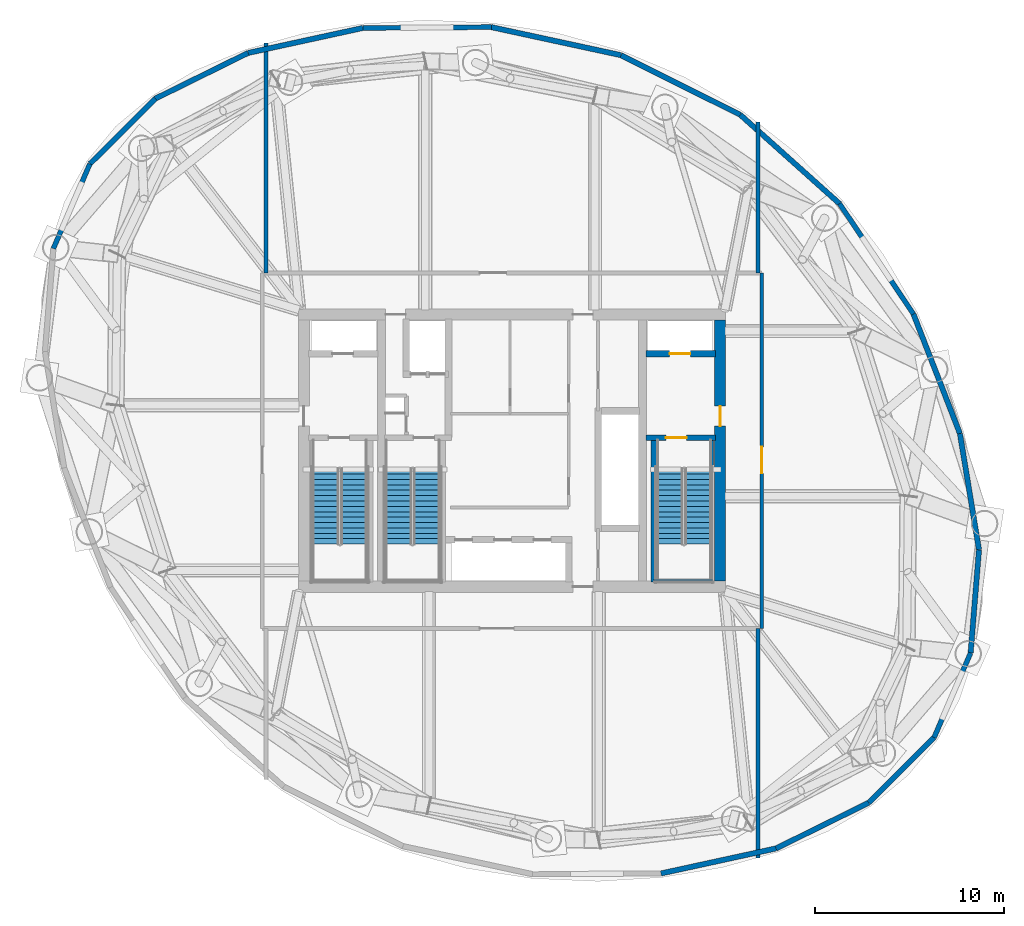
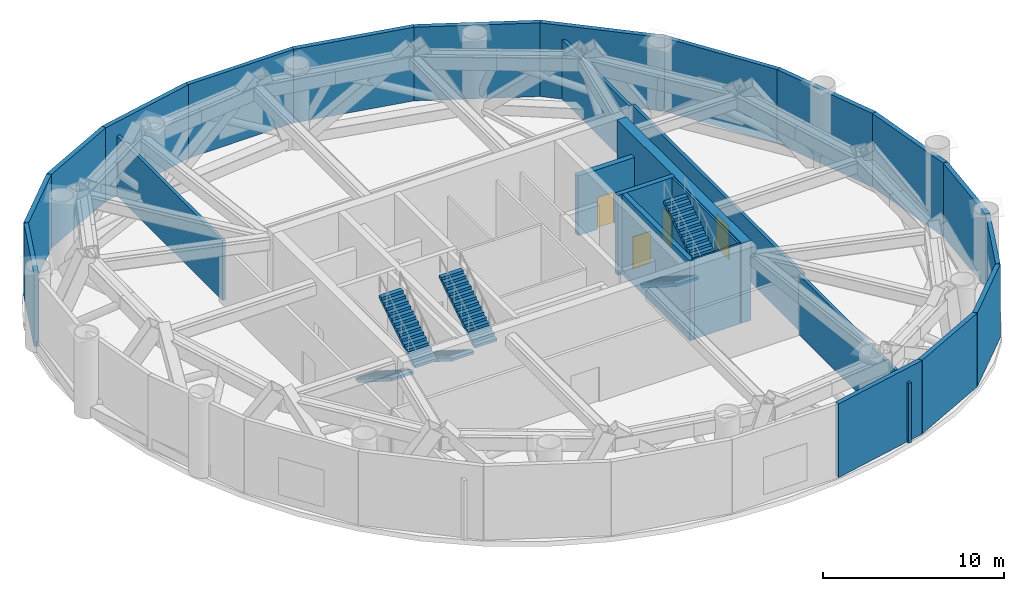
# One storey, part 6 of 10: 26 walls, 6 stair flights, 4 doors, 4 openings, 3 elements without a shape of their own.
"""IFC4 building model written with IfcOpenShell, lengths in metres."""

from ifc_helpers import new_model, si_unit, direction, frame, frame_2d, origin, place, context, subcontext, project, spatial, polyline, rectangle, outline, extrude, material, layer, layer_set, type_object, element, fill, aggregate, save


model = new_model("IFC4")

# Units and contexts
model_context = context("Model", 3, precision=1e-05, world=origin(), true_north=direction((0.0, 1.0)))
body_context = subcontext(model_context, "Body", "Model", "MODEL_VIEW")
ifc_project = project(units=[si_unit("LENGTHUNIT", "METRE"), si_unit("AREAUNIT", "SQUARE_METRE"), si_unit("VOLUMEUNIT", "CUBIC_METRE"), si_unit("PLANEANGLEUNIT", "RADIAN"), si_unit("MASSUNIT", "GRAM", prefix="KILO")], contexts=[model_context])

# Site, building, storey
site_placement = place(None, origin())
site = spatial("IfcSite", under=ifc_project, at=site_placement, CompositionType="ELEMENT")
building_placement = place(site_placement, origin())
building = spatial("IfcBuilding", under=site, at=building_placement, Name="Bramvorn Convention Spire", CompositionType="ELEMENT")
storey_placement = place(building_placement, frame((0.0, 0.0, 165.800048828125)))
storey = spatial("IfcBuildingStorey", under=building, at=storey_placement, Name="L42", CompositionType="ELEMENT", Elevation=165.800048828125)

# Wall, opening, door
ifc_material_1 = material(Name="Concrete C60/70", Category="concrete")
ifc_layer_1 = layer(ifc_material_1, 0.60009765625)
ifc_layer_set_1 = layer_set([ifc_layer_1], Name="Concrete C60/70 - WL-CORE-600")
wall_type_1 = type_object("IfcWallType", Name="WL-CORE-600", PredefinedType="SHEAR", material=ifc_layer_set_1)
wall_1_placement = place(storey_placement, frame((49.0, 19.10009765625, 0.0), z_axis=(0.0, 0.0, 1.0), x_axis=(0.0, 1.0, 0.0)))
wall_1 = element("IfcWall", 1, at=wall_1_placement, inside=storey, type_object=wall_type_1, Name="L42 East RC core shear wall", PredefinedType="SHEAR", context=body_context, shape_type="SweptSolid", body=[
    extrude(rectangle(XDim=13.7998046875, YDim=0.60009765625, at=frame_2d((6.89990234375, 0.0))), origin(), (0.0, 0.0, 1.0), 5.39990234375),
])
opening_1_placement = place(wall_1_placement, frame((8.199951171875, 0.0, 0.0)))
opening_1 = element("IfcOpeningElement", 2, at=opening_1_placement, cuts=wall_1, Name="Opening DL-105", PredefinedType="OPENING", context=body_context, shape_type="SweptSolid", body=[
    extrude(rectangle(XDim=1.050048828125, YDim=2.14990234375, at=frame_2d((0.52490234375, 1.074951171875))), frame((0.0, 0.31005859375, 0.0), z_axis=(0.0, -1.0, 0.0), x_axis=(1.0, 0.0, 0.0)), (0.0, 0.0, 1.0), 0.6201171875),
])
ifc_material_2 = material(Name="Smoke-Sealed Fire Lobby Timber-Core Door", Category="wood")
door_type_1 = type_object("IfcDoorType", Name="DR-LOBBY-1050", OperationType="NOTDEFINED", PredefinedType="DOOR", material=ifc_material_2)
door_1_placement = place(opening_1_placement, origin())
door_1 = element("IfcDoor", 3, at=door_1_placement, inside=storey, type_object=door_type_1, Name="L42 East Firefighting Lobby corridor door", OperationType="SINGLE_SWING_LEFT", OverallHeight=2.14990234375, OverallWidth=1.050048828125, PredefinedType="DOOR", context=body_context, shape_type="SweptSolid", body=[
    extrude(rectangle(XDim=1.050048828125, YDim=2.14990234375, at=frame_2d((0.52490234375, 1.074951171875))), frame((0.0, 0.02490234375, 0.0), z_axis=(0.0, -1.0, 0.0), x_axis=(1.0, 0.0, 0.0)), (0.0, 0.0, 1.0), 0.050048828125),
])
fill(opening_1, door_1)

ifc_material_3 = material(Name="Concrete C50/60", Category="concrete")
ifc_layer_2 = layer(ifc_material_3, 0.35009765625)
ifc_layer_set_2 = layer_set([ifc_layer_2], Name="Concrete C50/60 - WL-CORE-INT-350")
wall_type_2 = type_object("IfcWallType", Name="WL-CORE-INT-350", PredefinedType="SHEAR", material=ifc_layer_set_2)
wall_2_placement = place(storey_placement, frame((45.080078125, 31.1201171875, 0.0), z_axis=(0.0, 0.0, 1.0), x_axis=(1.0, 0.0, 0.0)))
wall_2 = element("IfcWall", 4, at=wall_2_placement, inside=storey, type_object=wall_type_2, Name="L42 FE2 shaft front wall", PredefinedType="SHEAR", context=body_context, shape_type="SweptSolid", body=[
    extrude(rectangle(XDim=3.669921875, YDim=0.35009765625, at=frame_2d((1.8349609375, 0.0))), origin(), (0.0, 0.0, 1.0), 4.0400390625),
])
opening_2_placement = place(wall_2_placement, frame((1.25, 0.0, 0.0)))
opening_2 = element("IfcOpeningElement", 5, at=opening_2_placement, cuts=wall_2, Name="Opening LD-110", PredefinedType="OPENING", context=body_context, shape_type="SweptSolid", body=[
    extrude(rectangle(XDim=1.10009765625, YDim=2.14990234375, at=frame_2d((0.550048828125, 1.074951171875))), frame((0.0, 0.18505859375, 0.0), z_axis=(0.0, -1.0, 0.0), x_axis=(1.0, 0.0, 0.0)), (0.0, 0.0, 1.0), 0.3701171875),
])
ifc_material_4 = material(Name="Firefighting & Service Lift Sliding Landing Door", Category="steel")
door_type_2 = type_object("IfcDoorType", Name="DR-LIFT-LD-1100", OperationType="NOTDEFINED", PredefinedType="DOOR", material=ifc_material_4)
door_2_placement = place(opening_2_placement, origin())
door_2 = element("IfcDoor", 6, at=door_2_placement, inside=storey, type_object=door_type_2, Name="L42 Lift FE2 Sliding Landing Door", OperationType="SLIDING_TO_LEFT", OverallHeight=2.14990234375, OverallWidth=1.10009765625, PredefinedType="DOOR", context=body_context, shape_type="SweptSolid", body=[
    extrude(rectangle(XDim=1.10009765625, YDim=2.14990234375, at=frame_2d((0.550048828125, 1.074951171875))), frame((0.0, 0.02490234375, 0.0), z_axis=(0.0, -1.0, 0.0), x_axis=(1.0, 0.0, 0.0)), (0.0, 0.0, 1.0), 0.050048828125),
])
fill(opening_2, door_2)

# Walls
ifc_material_5 = material(Name="Precast Concrete C40/50 with Bronze Terracotta Rainscreen", Category="masonry")
ifc_layer_3 = layer(ifc_material_5, 0.300048828125)
ifc_layer_set_3 = layer_set([ifc_layer_3], Name="Precast Concrete C40/50 with Bronze Terracotta Rainscreen - WL-EXT-BRONZE-300")
wall_type_3 = type_object("IfcWallType", Name="WL-EXT-BRONZE-300", PredefinedType="SOLIDWALL", material=ifc_layer_set_3)
wall_3_placement = place(storey_placement, frame((62.688720703125, 20.759033203125, 0.0), z_axis=(0.0, 0.0, 1.0), x_axis=(-0.081000608554, -0.99671405198, 0.0)))
element("IfcWall", 7, at=wall_3_placement, inside=storey, type_object=wall_type_3, Name="L42 expressed bronze Gothic lancet pier wall 02", PredefinedType="SOLIDWALL", context=body_context, shape_type="SweptSolid", body=[
    extrude(rectangle(XDim=5.464599609375, YDim=0.280029296875, at=frame_2d((2.732421875, 0.0))), origin(), (0.0, 0.0, 1.0), 4.97998046875),
])
wall_4_placement = place(storey_placement, frame((61.68017578125, 26.9033203125, 0.0), z_axis=(0.0, 0.0, 1.0), x_axis=(0.161975957602, -0.986794704667, 0.0)))
element("IfcWall", 8, at=wall_4_placement, inside=storey, type_object=wall_type_3, Name="L42 expressed bronze Gothic lancet pier wall 03", PredefinedType="SOLIDWALL", context=body_context, shape_type="SweptSolid", body=[
    extrude(rectangle(XDim=6.2265625, YDim=0.280029296875, at=frame_2d((3.11328125, 0.0))), origin(), (0.0, 0.0, 1.0), 4.97998046875),
])
wall_5_placement = place(storey_placement, frame((59.2216796875, 33.2265625, 0.0), z_axis=(0.0, 0.0, 1.0), x_axis=(0.362376796982, -0.932031682406, 0.0)))
element("IfcWall", 9, at=wall_5_placement, inside=storey, type_object=wall_type_3, Name="L42 expressed bronze Gothic lancet pier wall 04", PredefinedType="SOLIDWALL", context=body_context, shape_type="SweptSolid", body=[
    extrude(rectangle(XDim=6.784423828125, YDim=0.280029296875, at=frame_2d((3.39208984375, 0.0))), origin(), (0.0, 0.0, 1.0), 4.97998046875),
])
for number, where, z_axis, x_axis, name in (
    (10, (50.068115234375, 43.7578125, 0.0), (0.0, 0.0, 1.0), (0.74494941872, -0.667120951214, 0.0), "L42 expressed bronze Gothic lancet pier wall 06"),
    (11, (43.765869140625, 46.907470703125, 0.0), (0.0, 0.0, 1.0), (0.89451034067, -0.447047257495, 0.0), "L42 expressed bronze Gothic lancet pier wall 07"),
):
    element("IfcWall", number, at=place(storey_placement, frame(where, z_axis=z_axis, x_axis=x_axis)), inside=storey, type_object=wall_type_3, Name=name, PredefinedType="SOLIDWALL", context=body_context, shape_type="SweptSolid", body=[
        extrude(rectangle(XDim=7.04541015625, YDim=0.280029296875, at=frame_2d((3.522705078125, 0.0))), origin(), (0.0, 0.0, 1.0), 4.97998046875),
    ])
wall_6_placement = place(storey_placement, frame((36.906982421875, 48.3916015625, 0.0), z_axis=(0.0, 0.0, 1.0), x_axis=(0.97738094174, -0.211486393708, 0.0)))
element("IfcWall", 12, at=wall_6_placement, inside=storey, type_object=wall_type_3, Name="L42 expressed bronze Gothic lancet pier wall 08", PredefinedType="SOLIDWALL", context=body_context, shape_type="SweptSolid", body=[
    extrude(rectangle(XDim=7.017578125, YDim=0.280029296875, at=frame_2d((3.5087890625, 0.0))), origin(), (0.0, 0.0, 1.0), 4.97998046875),
])
wall_7_placement = place(storey_placement, frame((24.03857421875, 47.025634765625, 0.0), z_axis=(0.0, 0.0, 1.0), x_axis=(0.97712254219, 0.212677073388, 0.0)))
element("IfcWall", 13, at=wall_7_placement, inside=storey, type_object=wall_type_3, Name="L42 expressed bronze Gothic lancet pier wall 10", PredefinedType="SOLIDWALL", context=body_context, shape_type="SweptSolid", body=[
    extrude(rectangle(XDim=6.226318359375, YDim=0.280029296875, at=frame_2d((3.11328125, 0.0))), origin(), (0.0, 0.0, 1.0), 4.97998046875),
])
wall_8_placement = place(storey_placement, frame((19.137451171875, 44.60888671875, 0.0), z_axis=(0.0, 0.0, 1.0), x_axis=(0.896888592253, 0.442256546686, 0.0)))
element("IfcWall", 14, at=wall_8_placement, inside=storey, type_object=wall_type_3, Name="L42 expressed bronze Gothic lancet pier wall 11", PredefinedType="SOLIDWALL", context=body_context, shape_type="SweptSolid", body=[
    extrude(rectangle(XDim=5.464599609375, YDim=0.280029296875, at=frame_2d((2.732421875, 0.0))), origin(), (0.0, 0.0, 1.0), 4.97998046875),
])
wall_9_placement = place(storey_placement, frame((15.685302734375, 41.1650390625, 0.0), z_axis=(0.0, 0.0, 1.0), x_axis=(0.707957419988, 0.706255117846, 0.0)))
element("IfcWall", 15, at=wall_9_placement, inside=storey, type_object=wall_type_3, Name="L42 expressed bronze Gothic lancet pier wall 12", PredefinedType="SOLIDWALL", context=body_context, shape_type="SweptSolid", body=[
    extrude(rectangle(XDim=4.876220703125, YDim=0.280029296875, at=frame_2d((2.43798828125, 0.0))), origin(), (0.0, 0.0, 1.0), 4.97998046875),
])
wall_10_placement = place(storey_placement, frame((51.96142578125, 4.974365234375, 0.0), z_axis=(0.0, 0.0, 1.0), x_axis=(-0.97712254219, -0.212677073388, 0.0)))
element("IfcWall", 16, at=wall_10_placement, inside=storey, type_object=wall_type_3, Name="L42 expressed bronze Gothic lancet pier wall 22", PredefinedType="SOLIDWALL", context=body_context, shape_type="SweptSolid", body=[
    extrude(rectangle(XDim=6.226318359375, YDim=0.280029296875, at=frame_2d((3.11328125, 0.0))), origin(), (0.0, 0.0, 1.0), 4.97998046875),
])
wall_11_placement = place(storey_placement, frame((56.862548828125, 7.39111328125, 0.0), z_axis=(0.0, 0.0, 1.0), x_axis=(-0.896888592253, -0.442256546686, 0.0)))
element("IfcWall", 17, at=wall_11_placement, inside=storey, type_object=wall_type_3, Name="L42 expressed bronze Gothic lancet pier wall 23", PredefinedType="SOLIDWALL", context=body_context, shape_type="SweptSolid", body=[
    extrude(rectangle(XDim=5.464599609375, YDim=0.280029296875, at=frame_2d((2.732421875, 0.0))), origin(), (0.0, 0.0, 1.0), 4.97998046875),
])
wall_12_placement = place(storey_placement, frame((60.314697265625, 10.8349609375, 0.0), z_axis=(0.0, 0.0, 1.0), x_axis=(-0.707957419988, -0.706255117846, 0.0)))
element("IfcWall", 18, at=wall_12_placement, inside=storey, type_object=wall_type_3, Name="L42 expressed bronze Gothic lancet pier wall 24", PredefinedType="SOLIDWALL", context=body_context, shape_type="SweptSolid", body=[
    extrude(rectangle(XDim=4.876220703125, YDim=0.280029296875, at=frame_2d((2.43798828125, 0.0))), origin(), (0.0, 0.0, 1.0), 4.97998046875),
])
ifc_material_6 = material(Name="Precast Concrete C40/50 Insulated Terrace Wall", Category="concrete")
ifc_layer_4 = layer(ifc_material_6, 0.280029296875)
ifc_layer_set_4 = layer_set([ifc_layer_4], Name="Precast Concrete C40/50 Insulated Terrace Wall - WL-EXT-TERR-280")
wall_type_4 = type_object("IfcWallType", Name="WL-EXT-TERR-280", PredefinedType="SOLIDWALL", material=ifc_layer_set_4)
wall_13_placement = place(storey_placement, frame((62.24609375, 15.3125, 0.0), z_axis=(0.0, 0.0, 1.0), x_axis=(-0.396075385492, -0.918217996451, 0.0)))
element("IfcWall", 19, at=wall_13_placement, inside=storey, type_object=wall_type_4, Name="L42 plant floor acoustic louvre breast wall 01", PredefinedType="SOLIDWALL", context=body_context, shape_type="SweptSolid", body=[
    extrude(rectangle(XDim=4.876220703125, YDim=0.260009765625, at=frame_2d((2.43798828125, 0.0))), origin(), (0.0, 0.0, 1.0), 4.97998046875),
])
wall_14_placement = place(storey_placement, frame((55.316650390625, 39.0576171875, 0.0), z_axis=(0.0, 0.0, 1.0), x_axis=(0.556441078363, -0.830887071936, 0.0)))
element("IfcWall", 20, at=wall_14_placement, inside=storey, type_object=wall_type_4, Name="L42 plant floor acoustic louvre breast wall 05", PredefinedType="SOLIDWALL", context=body_context, shape_type="SweptSolid", body=[
    extrude(rectangle(XDim=7.017822265625, YDim=0.260009765625, at=frame_2d((3.5087890625, 0.0))), origin(), (0.0, 0.0, 1.0), 4.97998046875),
])
wall_15_placement = place(storey_placement, frame((30.12255859375, 48.349853515625, 0.0), z_axis=(0.0, 0.0, 1.0), x_axis=(0.999981067671, 0.00615339748, 0.0)))
element("IfcWall", 21, at=wall_15_placement, inside=storey, type_object=wall_type_4, Name="L42 plant floor acoustic louvre breast wall 09", PredefinedType="SOLIDWALL", context=body_context, shape_type="SweptSolid", body=[
    extrude(rectangle(XDim=6.78466796875, YDim=0.260009765625, at=frame_2d((3.392333984375, 0.0))), origin(), (0.0, 0.0, 1.0), 4.97998046875),
])
wall_16_placement = place(storey_placement, frame((13.75390625, 36.6875, 0.0), z_axis=(0.0, 0.0, 1.0), x_axis=(0.396075385492, 0.918217996451, 0.0)))
element("IfcWall", 22, at=wall_16_placement, inside=storey, type_object=wall_type_4, Name="L42 plant floor acoustic louvre breast wall 13", PredefinedType="SOLIDWALL", context=body_context, shape_type="SweptSolid", body=[
    extrude(rectangle(XDim=4.876220703125, YDim=0.260009765625, at=frame_2d((2.43798828125, 0.0))), origin(), (0.0, 0.0, 1.0), 4.97998046875),
])

# Wall, opening, door
ifc_material_7 = material(Name="Gypsum Shaftwall & Rockwool Core Partition", Category="gypsum")
ifc_layer_5 = layer(ifc_material_7, 0.199951171875)
ifc_layer_set_5 = layer_set([ifc_layer_5], Name="Gypsum Shaftwall & Rockwool Core Partition - WL-PART-200-FR")
wall_type_5 = type_object("IfcWallType", Name="WL-PART-200-FR", PredefinedType="PARTITIONING", material=ifc_layer_set_5)
wall_17_placement = place(storey_placement, frame((51.199951171875, 16.60009765625, 0.0), z_axis=(0.0, 0.0, 1.0), x_axis=(0.0, 1.0, 0.0)))
wall_17 = element("IfcWall", 23, at=wall_17_placement, inside=storey, type_object=wall_type_5, Name="L42 Plant corridor east wall", PredefinedType="PARTITIONING", context=body_context, shape_type="SweptSolid", body=[
    extrude(rectangle(XDim=18.7998046875, YDim=0.199951171875, at=frame_2d((9.39990234375, 0.0))), origin(), (0.0, 0.0, 1.0), 4.0400390625),
])
opening_3_placement = place(wall_17_placement, frame((8.199951171875, 0.0, 0.0)))
opening_3 = element("IfcOpeningElement", 24, at=opening_3_placement, cuts=wall_17, Name="Opening DP-140", PredefinedType="OPENING", context=body_context, shape_type="SweptSolid", body=[
    extrude(rectangle(XDim=1.39990234375, YDim=2.25, at=frame_2d((0.699951171875, 1.125))), frame((0.0, 0.10986328125, 0.0), z_axis=(0.0, -1.0, 0.0), x_axis=(1.0, 0.0, 0.0)), (0.0, 0.0, 1.0), 0.219970703125),
])
ifc_material_8 = material(Name="Heavy-Duty Acoustic Louvre Plant Room Door", Category="steel")
door_type_3 = type_object("IfcDoorType", Name="DR-PLANT-1400", OperationType="NOTDEFINED", PredefinedType="DOOR", material=ifc_material_8)
door_3_placement = place(opening_3_placement, origin())
door_3 = element("IfcDoor", 25, at=door_3_placement, inside=storey, type_object=door_type_3, Name="L42 High-Rise Electrical Substation & UPS door", OperationType="DOUBLE_DOOR_SINGLE_SWING", OverallHeight=2.25, OverallWidth=1.39990234375, PredefinedType="DOOR", context=body_context, shape_type="SweptSolid", body=[
    extrude(rectangle(XDim=1.39990234375, YDim=2.25, at=frame_2d((0.699951171875, 1.125))), frame((0.0, 0.02490234375, 0.0), z_axis=(0.0, -1.0, 0.0), x_axis=(1.0, 0.0, 0.0)), (0.0, 0.0, 1.0), 0.050048828125),
])
fill(opening_3, door_3)

# Walls
for number, where, z_axis, x_axis, name in (
    (26, (25.0, 35.39990234375, 0.0), (0.0, 0.0, 1.0), (0.0, 1.0, 0.0), "L42 Compartment fire wall"),
    (27, (51.0, 4.45458984375, 0.0), (0.0, 0.0, 1.0), (0.0, 1.0, 0.0), "L42 Compartment fire wall"),
):
    element("IfcWall", number, at=place(storey_placement, frame(where, z_axis=z_axis, x_axis=x_axis)), inside=storey, type_object=wall_type_5, Name=name, PredefinedType="PARTITIONING", context=body_context, shape_type="SweptSolid", body=[
        extrude(rectangle(XDim=12.1455078125, YDim=0.199951171875, at=frame_2d((6.07275390625, 0.0))), origin(), (0.0, 0.0, 1.0), 4.0400390625),
    ])
wall_18_placement = place(storey_placement, frame((51.0, 35.39990234375, 0.0), z_axis=(0.0, 0.0, 1.0), x_axis=(0.0, 1.0, 0.0)))
element("IfcWall", 28, at=wall_18_placement, inside=storey, type_object=wall_type_5, Name="L42 Compartment fire wall", PredefinedType="PARTITIONING", context=body_context, shape_type="SweptSolid", body=[
    extrude(rectangle(XDim=7.97021484375, YDim=0.199951171875, at=frame_2d((3.985107421875, 0.0))), origin(), (0.0, 0.0, 1.0), 4.0400390625),
])

# Wall, opening, door
ifc_layer_6 = layer(ifc_material_3, 0.300048828125)
ifc_layer_set_6 = layer_set([ifc_layer_6], Name="Concrete C50/60 - WL-POD-STAIR-300")
wall_type_6 = type_object("IfcWallType", Name="WL-POD-STAIR-300", PredefinedType="SHEAR", material=ifc_layer_set_6)
wall_19_placement = place(storey_placement, frame((45.080078125, 26.68994140625, 0.0), z_axis=(0.0, 0.0, 1.0), x_axis=(1.0, 0.0, 0.0)))
wall_19 = element("IfcWall", 29, at=wall_19_placement, inside=storey, type_object=wall_type_6, Name="L42 ST2 north fire wall", PredefinedType="SHEAR", context=body_context, shape_type="SweptSolid", body=[
    extrude(rectangle(XDim=3.669921875, YDim=0.300048828125, at=frame_2d((1.8349609375, 0.0))), origin(), (0.0, 0.0, 1.0), 5.39990234375),
])
opening_4_placement = place(wall_19_placement, frame((1.050048828125, 0.0, 0.0)))
opening_4 = element("IfcOpeningElement", 30, at=opening_4_placement, cuts=wall_19, Name="Opening DS-110", PredefinedType="OPENING", context=body_context, shape_type="SweptSolid", body=[
    extrude(rectangle(XDim=1.10009765625, YDim=2.14990234375, at=frame_2d((0.550048828125, 1.074951171875))), frame((0.0, 0.159912109375, 0.0), z_axis=(0.0, -1.0, 0.0), x_axis=(1.0, 0.0, 0.0)), (0.0, 0.0, 1.0), 0.320068359375),
])
ifc_material_9 = material(Name="Fire-Rated Hollow Steel Stairwell Door", Category="steel")
door_type_4 = type_object("IfcDoorType", Name="DR-STAIR-1100", OperationType="NOTDEFINED", PredefinedType="DOOR", material=ifc_material_9)
door_4_placement = place(opening_4_placement, origin())
door_4 = element("IfcDoor", 31, at=door_4_placement, inside=storey, type_object=door_type_4, Name="L42 Stair ST2 fire door", OperationType="SINGLE_SWING_RIGHT", OverallHeight=2.14990234375, OverallWidth=1.10009765625, PredefinedType="DOOR", context=body_context, shape_type="SweptSolid", body=[
    extrude(rectangle(XDim=1.10009765625, YDim=2.14990234375, at=frame_2d((0.550048828125, 1.074951171875))), frame((0.0, 0.02490234375, 0.0), z_axis=(0.0, -1.0, 0.0), x_axis=(1.0, 0.0, 0.0)), (0.0, 0.0, 1.0), 0.050048828125),
])
fill(opening_4, door_4)

# Walls
wall_20_placement = place(storey_placement, frame((45.510009765625, 19.050048828125, 0.0), z_axis=(0.0, 0.0, 1.0), x_axis=(0.0, 1.0, 0.0)))
element("IfcWall", 32, at=wall_20_placement, inside=storey, type_object=wall_type_6, Name="L42 ST2 west bearing wall", PredefinedType="SHEAR", context=body_context, shape_type="SweptSolid", body=[
    extrude(rectangle(XDim=7.5, YDim=0.300048828125, at=frame_2d((3.75, 0.0))), origin(), (0.0, 0.0, 1.0), 5.39990234375),
])
ifc_layer_7 = layer(ifc_material_3, 0.1201171875)
ifc_layer_set_7 = layer_set([ifc_layer_7], Name="Concrete C50/60 - WL-STAIR-RC-120")
wall_type_7 = type_object("IfcWallType", Name="WL-STAIR-RC-120", PredefinedType="SHEAR", material=ifc_layer_set_7)
wall_21_placement = place(storey_placement, frame((48.60498046875, 19.10009765625, 0.0), z_axis=(0.0, 0.0, 1.0), x_axis=(0.0, 1.0, 0.0)))
element("IfcWall", 33, at=wall_21_placement, inside=storey, type_object=wall_type_7, Name="L42 ST2 east bearing shear wall", PredefinedType="SHEAR", context=body_context, shape_type="SweptSolid", body=[
    extrude(rectangle(XDim=7.449951171875, YDim=0.1201171875, at=frame_2d((3.72509765625, 0.0))), origin(), (0.0, 0.0, 1.0), 5.39990234375),
])
wall_22_placement = place(storey_placement, frame((45.510009765625, 19.159912109375, 0.0), z_axis=(0.0, 0.0, 1.0), x_axis=(1.0, 0.0, 0.0)))
element("IfcWall", 34, at=wall_22_placement, inside=storey, type_object=wall_type_7, Name="L42 ST2 south bearing shear wall", PredefinedType="SHEAR", context=body_context, shape_type="SweptSolid", body=[
    extrude(rectangle(XDim=3.094970703125, YDim=0.1201171875, at=frame_2d((1.54736328125, 0.0))), origin(), (0.0, 0.0, 1.0), 5.39990234375),
])

# Stair, stair flights
ifc_material_10 = material(Name="Concrete C40/50 Precast Stair", Category="concrete")
stair_type = type_object("IfcStairType", Name="ST-TOWER-1550", PredefinedType="HALF_TURN_STAIR", material=ifc_material_10)
stair_1_placement = place(storey_placement, origin())
stair_1 = element("IfcStair", 35, at=stair_1_placement, inside=storey, type_object=stair_type, Name="L42 Protected Exit Stair ST1", PredefinedType="HALF_TURN_STAIR")
ifc_material_11 = material(Name="Concrete C40/50 Precast Stair Flight", Category="concrete")
stair_flight_type = type_object("IfcStairFlightType", Name="STF-TOWER-1550", PredefinedType="STRAIGHT", material=ifc_material_11)
stair_flight_1_placement = place(storey_placement, frame((28.155029296875, 25.050048828125, 0.0), z_axis=(0.0, 0.0, 1.0), x_axis=(0.0, -1.0, 0.0)))
stair_flight_1 = element("IfcStairFlight", 36, at=stair_flight_1_placement, type_object=stair_flight_type, Name="ST1 flight 1", NumberOfRisers=15, NumberOfTreads=14, PredefinedType="STRAIGHT", RiserHeight=0.18, TreadLength=0.285, context=body_context, shape_type="SweptSolid", body=[
    extrude(outline(polyline([(0.0, 0.0), (0.0, 0.179931640625), (0.284912109375, 0.179931640625), (0.284912109375, 0.360107421875), (0.570068359375, 0.360107421875), (0.570068359375, 0.5400390625), (0.85498046875, 0.5400390625), (0.85498046875, 0.719970703125), (1.139892578125, 0.719970703125), (1.139892578125, 0.89990234375), (1.425048828125, 0.89990234375), (1.425048828125, 1.080078125), (1.7099609375, 1.080078125), (1.7099609375, 1.260009765625), (1.9951171875, 1.260009765625), (1.9951171875, 1.43994140625), (2.280029296875, 1.43994140625), (2.280029296875, 1.6201171875), (2.56494140625, 1.6201171875), (2.56494140625, 1.800048828125), (2.85009765625, 1.800048828125), (2.85009765625, 1.97998046875), (3.135009765625, 1.97998046875), (3.135009765625, 2.159912109375), (3.419921875, 2.159912109375), (3.419921875, 2.340087890625), (3.705078125, 2.340087890625), (3.705078125, 2.52001953125), (3.989990234375, 2.52001953125), (3.989990234375, 2.699951171875), (3.989990234375, 2.3427734375), (0.28076171875, 0.0), (0.0, 0.0)])), frame((0.0, 0.705078125, 0.0), z_axis=(0.0, -1.0, 0.0), x_axis=(1.0, 0.0, 0.0)), (0.0, 0.0, 1.0), 1.409912109375),
])
stair_flight_2_placement = place(storey_placement, frame((29.64501953125, 21.06005859375, 2.699951171875), z_axis=(0.0, 0.0, 1.0), x_axis=(0.0, 1.0, 0.0)))
stair_flight_2 = element("IfcStairFlight", 37, at=stair_flight_2_placement, type_object=stair_flight_type, Name="ST1 flight 2", NumberOfRisers=15, NumberOfTreads=14, PredefinedType="STRAIGHT", RiserHeight=0.18, TreadLength=0.285, context=body_context, shape_type="SweptSolid", body=[
    extrude(outline(polyline([(0.0, 0.0), (0.0, 0.179931640625), (0.284912109375, 0.179931640625), (0.284912109375, 0.360107421875), (0.570068359375, 0.360107421875), (0.570068359375, 0.5400390625), (0.85498046875, 0.5400390625), (0.85498046875, 0.719970703125), (1.139892578125, 0.719970703125), (1.139892578125, 0.89990234375), (1.425048828125, 0.89990234375), (1.425048828125, 1.080078125), (1.7099609375, 1.080078125), (1.7099609375, 1.260009765625), (1.9951171875, 1.260009765625), (1.9951171875, 1.43994140625), (2.280029296875, 1.43994140625), (2.280029296875, 1.6201171875), (2.56494140625, 1.6201171875), (2.56494140625, 1.800048828125), (2.85009765625, 1.800048828125), (2.85009765625, 1.97998046875), (3.135009765625, 1.97998046875), (3.135009765625, 2.159912109375), (3.419921875, 2.159912109375), (3.419921875, 2.340087890625), (3.705078125, 2.340087890625), (3.705078125, 2.52001953125), (3.989990234375, 2.52001953125), (3.989990234375, 2.699951171875), (3.989990234375, 2.3427734375), (0.28076171875, 0.0), (0.0, 0.0)])), frame((0.0, 0.705078125, 0.0), z_axis=(0.0, -1.0, 0.0), x_axis=(1.0, 0.0, 0.0)), (0.0, 0.0, 1.0), 1.409912109375),
])
aggregate(stair_1, [stair_flight_1, stair_flight_2])

stair_2_placement = place(storey_placement, origin())
stair_2 = element("IfcStair", 38, at=stair_2_placement, inside=storey, type_object=stair_type, Name="L42 Protected Exit Stair ST2", PredefinedType="HALF_TURN_STAIR")
stair_flight_3_placement = place(storey_placement, frame((46.35498046875, 25.050048828125, 0.0), z_axis=(0.0, 0.0, 1.0), x_axis=(0.0, -1.0, 0.0)))
stair_flight_3 = element("IfcStairFlight", 39, at=stair_flight_3_placement, type_object=stair_flight_type, Name="ST2 flight 1", NumberOfRisers=15, NumberOfTreads=14, PredefinedType="STRAIGHT", RiserHeight=0.18, TreadLength=0.285, context=body_context, shape_type="SweptSolid", body=[
    extrude(outline(polyline([(0.0, 0.0), (0.0, 0.179931640625), (0.284912109375, 0.179931640625), (0.284912109375, 0.360107421875), (0.570068359375, 0.360107421875), (0.570068359375, 0.5400390625), (0.85498046875, 0.5400390625), (0.85498046875, 0.719970703125), (1.139892578125, 0.719970703125), (1.139892578125, 0.89990234375), (1.425048828125, 0.89990234375), (1.425048828125, 1.080078125), (1.7099609375, 1.080078125), (1.7099609375, 1.260009765625), (1.9951171875, 1.260009765625), (1.9951171875, 1.43994140625), (2.280029296875, 1.43994140625), (2.280029296875, 1.6201171875), (2.56494140625, 1.6201171875), (2.56494140625, 1.800048828125), (2.85009765625, 1.800048828125), (2.85009765625, 1.97998046875), (3.135009765625, 1.97998046875), (3.135009765625, 2.159912109375), (3.419921875, 2.159912109375), (3.419921875, 2.340087890625), (3.705078125, 2.340087890625), (3.705078125, 2.52001953125), (3.989990234375, 2.52001953125), (3.989990234375, 2.699951171875), (3.989990234375, 2.3427734375), (0.28076171875, 0.0), (0.0, 0.0)])), frame((0.0, 0.705078125, 0.0), z_axis=(0.0, -1.0, 0.0), x_axis=(1.0, 0.0, 0.0)), (0.0, 0.0, 1.0), 1.409912109375),
])
stair_flight_4_placement = place(storey_placement, frame((47.844970703125, 21.06005859375, 2.699951171875), z_axis=(0.0, 0.0, 1.0), x_axis=(0.0, 1.0, 0.0)))
stair_flight_4 = element("IfcStairFlight", 40, at=stair_flight_4_placement, type_object=stair_flight_type, Name="ST2 flight 2", NumberOfRisers=15, NumberOfTreads=14, PredefinedType="STRAIGHT", RiserHeight=0.18, TreadLength=0.285, context=body_context, shape_type="SweptSolid", body=[
    extrude(outline(polyline([(0.0, 0.0), (0.0, 0.179931640625), (0.284912109375, 0.179931640625), (0.284912109375, 0.360107421875), (0.570068359375, 0.360107421875), (0.570068359375, 0.5400390625), (0.85498046875, 0.5400390625), (0.85498046875, 0.719970703125), (1.139892578125, 0.719970703125), (1.139892578125, 0.89990234375), (1.425048828125, 0.89990234375), (1.425048828125, 1.080078125), (1.7099609375, 1.080078125), (1.7099609375, 1.260009765625), (1.9951171875, 1.260009765625), (1.9951171875, 1.43994140625), (2.280029296875, 1.43994140625), (2.280029296875, 1.6201171875), (2.56494140625, 1.6201171875), (2.56494140625, 1.800048828125), (2.85009765625, 1.800048828125), (2.85009765625, 1.97998046875), (3.135009765625, 1.97998046875), (3.135009765625, 2.159912109375), (3.419921875, 2.159912109375), (3.419921875, 2.340087890625), (3.705078125, 2.340087890625), (3.705078125, 2.52001953125), (3.989990234375, 2.52001953125), (3.989990234375, 2.699951171875), (3.989990234375, 2.3427734375), (0.28076171875, 0.0), (0.0, 0.0)])), frame((0.0, 0.705078125, 0.0), z_axis=(0.0, -1.0, 0.0), x_axis=(1.0, 0.0, 0.0)), (0.0, 0.0, 1.0), 1.409912109375),
])
aggregate(stair_2, [stair_flight_3, stair_flight_4])

stair_3_placement = place(storey_placement, origin())
stair_3 = element("IfcStair", 41, at=stair_3_placement, inside=storey, type_object=stair_type, Name="L42 Protected Exit Stair ST3", PredefinedType="HALF_TURN_STAIR")
stair_flight_5_placement = place(storey_placement, frame((32.0048828125, 25.050048828125, 0.0), z_axis=(0.0, 0.0, 1.0), x_axis=(0.0, -1.0, 0.0)))
stair_flight_5 = element("IfcStairFlight", 42, at=stair_flight_5_placement, type_object=stair_flight_type, Name="ST3 flight 1", NumberOfRisers=15, NumberOfTreads=14, PredefinedType="STRAIGHT", RiserHeight=0.18, TreadLength=0.285, context=body_context, shape_type="SweptSolid", body=[
    extrude(outline(polyline([(0.0, 0.0), (0.0, 0.179931640625), (0.284912109375, 0.179931640625), (0.284912109375, 0.360107421875), (0.570068359375, 0.360107421875), (0.570068359375, 0.5400390625), (0.85498046875, 0.5400390625), (0.85498046875, 0.719970703125), (1.139892578125, 0.719970703125), (1.139892578125, 0.89990234375), (1.425048828125, 0.89990234375), (1.425048828125, 1.080078125), (1.7099609375, 1.080078125), (1.7099609375, 1.260009765625), (1.9951171875, 1.260009765625), (1.9951171875, 1.43994140625), (2.280029296875, 1.43994140625), (2.280029296875, 1.6201171875), (2.56494140625, 1.6201171875), (2.56494140625, 1.800048828125), (2.85009765625, 1.800048828125), (2.85009765625, 1.97998046875), (3.135009765625, 1.97998046875), (3.135009765625, 2.159912109375), (3.419921875, 2.159912109375), (3.419921875, 2.340087890625), (3.705078125, 2.340087890625), (3.705078125, 2.52001953125), (3.989990234375, 2.52001953125), (3.989990234375, 2.699951171875), (3.989990234375, 2.3427734375), (0.28076171875, 0.0), (0.0, 0.0)])), frame((0.0, 0.705078125, 0.0), z_axis=(0.0, -1.0, 0.0), x_axis=(1.0, 0.0, 0.0)), (0.0, 0.0, 1.0), 1.409912109375),
])
stair_flight_6_placement = place(storey_placement, frame((33.4951171875, 21.06005859375, 2.699951171875), z_axis=(0.0, 0.0, 1.0), x_axis=(0.0, 1.0, 0.0)))
stair_flight_6 = element("IfcStairFlight", 43, at=stair_flight_6_placement, type_object=stair_flight_type, Name="ST3 flight 2", NumberOfRisers=15, NumberOfTreads=14, PredefinedType="STRAIGHT", RiserHeight=0.18, TreadLength=0.285, context=body_context, shape_type="SweptSolid", body=[
    extrude(outline(polyline([(0.0, 0.0), (0.0, 0.179931640625), (0.284912109375, 0.179931640625), (0.284912109375, 0.360107421875), (0.570068359375, 0.360107421875), (0.570068359375, 0.5400390625), (0.85498046875, 0.5400390625), (0.85498046875, 0.719970703125), (1.139892578125, 0.719970703125), (1.139892578125, 0.89990234375), (1.425048828125, 0.89990234375), (1.425048828125, 1.080078125), (1.7099609375, 1.080078125), (1.7099609375, 1.260009765625), (1.9951171875, 1.260009765625), (1.9951171875, 1.43994140625), (2.280029296875, 1.43994140625), (2.280029296875, 1.6201171875), (2.56494140625, 1.6201171875), (2.56494140625, 1.800048828125), (2.85009765625, 1.800048828125), (2.85009765625, 1.97998046875), (3.135009765625, 1.97998046875), (3.135009765625, 2.159912109375), (3.419921875, 2.159912109375), (3.419921875, 2.340087890625), (3.705078125, 2.340087890625), (3.705078125, 2.52001953125), (3.989990234375, 2.52001953125), (3.989990234375, 2.699951171875), (3.989990234375, 2.3427734375), (0.28076171875, 0.0), (0.0, 0.0)])), frame((0.0, 0.705078125, 0.0), z_axis=(0.0, -1.0, 0.0), x_axis=(1.0, 0.0, 0.0)), (0.0, 0.0, 1.0), 1.409912109375),
])
aggregate(stair_3, [stair_flight_5, stair_flight_6])

save(model, "model.ifc")
